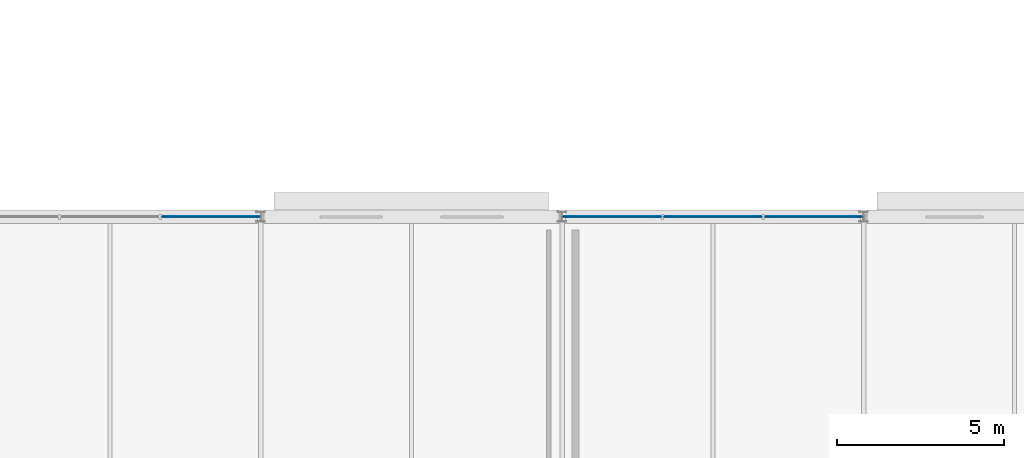
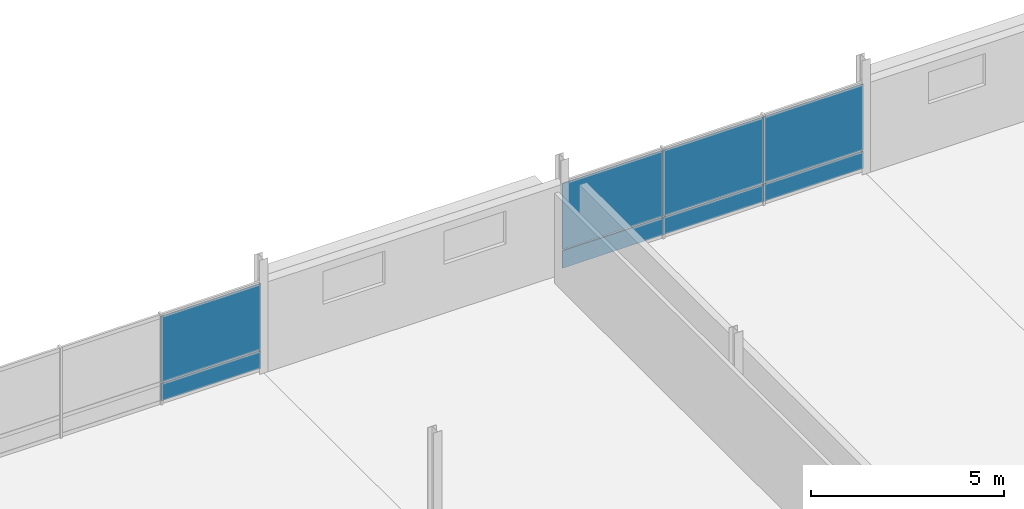
# One storey, part 97 of 132: 8 plates, 2 elements without a shape of their own.
"""IFC4 building model written with IfcOpenShell, lengths in metres."""

from ifc_helpers import new_model, si_unit, direction, frame, origin, origin_2d, place, context, subcontext, project, spatial, rectangle, extrude, material, layer, layer_set, type_object, element, aggregate, save


model = new_model("IFC4")

# Units and contexts
model_context = context("Model", 3, precision=1e-05, world=origin(), true_north=direction((0.0, 1.0)))
body_context = subcontext(model_context, "Body", "Model", "MODEL_VIEW")
ifc_project = project(units=[si_unit("LENGTHUNIT", "METRE"), si_unit("AREAUNIT", "SQUARE_METRE"), si_unit("VOLUMEUNIT", "CUBIC_METRE"), si_unit("PLANEANGLEUNIT", "RADIAN"), si_unit("MASSUNIT", "GRAM", prefix="KILO")], contexts=[model_context])

# Site, building, storey
site_placement = place(None, origin())
site = spatial("IfcSite", under=ifc_project, at=site_placement, CompositionType="ELEMENT")
building_placement = place(site_placement, origin())
building = spatial("IfcBuilding", under=site, at=building_placement, Name="Tharagai Park Tramway Depot", CompositionType="ELEMENT")
storey_placement = place(building_placement, frame((0.0, 0.0, 4.800048828125)))
storey = spatial("IfcBuildingStorey", under=building, at=storey_placement, Name="L01", CompositionType="ELEMENT", Elevation=4.800048828125)

# Curtain wall, plate
ifc_material_1 = material(Name="Anodised aluminium", Category="aluminium")
curtain_wall_type = type_object("IfcCurtainWallType", Name="CW-01", PredefinedType="NOTDEFINED", material=ifc_material_1)
curtain_wall_1_placement = place(storey_placement, origin())
curtain_wall_1 = element("IfcCurtainWall", 1, at=curtain_wall_1_placement, inside=storey, type_object=curtain_wall_type, Name="L01 V3 Gothic Mullioned Curtain Wall CW-01", PredefinedType="NOTDEFINED")
ifc_layer_1 = layer(ifc_material_1, 0.0400390625)
ifc_layer_set_1 = layer_set([ifc_layer_1], Name="Anodised aluminium")
plate_type_1 = type_object("IfcPlateType", Name="CP-01", PredefinedType="CURTAIN_PANEL", material=ifc_layer_set_1)
plate_1_placement = place(storey_placement, frame((178.502685546875, 135.0, 0.080078125), z_axis=(0.0, 0.0, 1.0), x_axis=(1.0, 0.0, 0.0)))
plate_1 = element("IfcPlate", 2, at=plate_1_placement, type_object=plate_type_1, Name="L01 V3 Gothic Mullioned Curtain Wall Spandrel Panel 3.1", PredefinedType="CURTAIN_PANEL", context=body_context, shape_type="SweptSolid", body=[
    extrude(rectangle(XDim=2.982666015625, YDim=0.0400390625, at=origin_2d()), origin(), (0.0, 0.0, 1.0), 0.550048828125),
])

# Curtain wall, plates
curtain_wall_2_placement = place(storey_placement, origin())
curtain_wall_2 = element("IfcCurtainWall", 3, at=curtain_wall_2_placement, inside=storey, type_object=curtain_wall_type, Name="L01 V3 Gothic Mullioned Curtain Wall CW-01", PredefinedType="NOTDEFINED")
plate_2_placement = place(storey_placement, frame((190.497314453125, 135.0, 0.080078125), z_axis=(0.0, 0.0, 1.0), x_axis=(1.0, 0.0, 0.0)))
plate_2 = element("IfcPlate", 4, at=plate_2_placement, type_object=plate_type_1, Name="L01 V3 Gothic Mullioned Curtain Wall Spandrel Panel 1.1", PredefinedType="CURTAIN_PANEL", context=body_context, shape_type="SweptSolid", body=[
    extrude(rectangle(XDim=2.982666015625, YDim=0.0400390625, at=origin_2d()), origin(), (0.0, 0.0, 1.0), 0.550048828125),
])
plate_3_placement = place(storey_placement, frame((193.5, 135.0, 0.080078125), z_axis=(0.0, 0.0, 1.0), x_axis=(1.0, 0.0, 0.0)))
plate_3 = element("IfcPlate", 5, at=plate_3_placement, type_object=plate_type_1, Name="L01 V3 Gothic Mullioned Curtain Wall Spandrel Panel 2.1", PredefinedType="CURTAIN_PANEL", context=body_context, shape_type="SweptSolid", body=[
    extrude(rectangle(XDim=2.982666015625, YDim=0.0400390625, at=origin_2d()), origin(), (0.0, 0.0, 1.0), 0.550048828125),
])
plate_4_placement = place(storey_placement, frame((196.502685546875, 135.0, 0.080078125), z_axis=(0.0, 0.0, 1.0), x_axis=(1.0, 0.0, 0.0)))
plate_4 = element("IfcPlate", 6, at=plate_4_placement, type_object=plate_type_1, Name="L01 V3 Gothic Mullioned Curtain Wall Spandrel Panel 3.1", PredefinedType="CURTAIN_PANEL", context=body_context, shape_type="SweptSolid", body=[
    extrude(rectangle(XDim=2.982666015625, YDim=0.0400390625, at=origin_2d()), origin(), (0.0, 0.0, 1.0), 0.550048828125),
])

# Plate
ifc_material_2 = material(Name="Laminated solar-control glass", Category="glass")
ifc_layer_2 = layer(ifc_material_2, 0.028076171875)
ifc_layer_set_2 = layer_set([ifc_layer_2], Name="Laminated solar-control glass")
plate_type_2 = type_object("IfcPlateType", Name="CP-02", PredefinedType="CURTAIN_PANEL", material=ifc_layer_set_2)
plate_5_placement = place(storey_placement, frame((178.502685546875, 135.0, 0.669921875), z_axis=(0.0, 0.0, 1.0), x_axis=(1.0, 0.0, 0.0)))
plate_5 = element("IfcPlate", 7, at=plate_5_placement, type_object=plate_type_2, Name="L01 V3 Gothic Mullioned Curtain Wall Glazed Panel 3.2", PredefinedType="CURTAIN_PANEL", context=body_context, shape_type="SweptSolid", body=[
    extrude(rectangle(XDim=2.982666015625, YDim=0.028076171875, at=origin_2d()), origin(), (0.0, 0.0, 1.0), 2.080078125),
])

aggregate(curtain_wall_1, [plate_1, plate_5])

plate_6_placement = place(storey_placement, frame((190.497314453125, 135.0, 0.669921875), z_axis=(0.0, 0.0, 1.0), x_axis=(1.0, 0.0, 0.0)))
plate_6 = element("IfcPlate", 8, at=plate_6_placement, type_object=plate_type_2, Name="L01 V3 Gothic Mullioned Curtain Wall Glazed Panel 1.2", PredefinedType="CURTAIN_PANEL", context=body_context, shape_type="SweptSolid", body=[
    extrude(rectangle(XDim=2.982666015625, YDim=0.028076171875, at=origin_2d()), origin(), (0.0, 0.0, 1.0), 2.080078125),
])

plate_7_placement = place(storey_placement, frame((193.5, 135.0, 0.669921875), z_axis=(0.0, 0.0, 1.0), x_axis=(1.0, 0.0, 0.0)))
plate_7 = element("IfcPlate", 9, at=plate_7_placement, type_object=plate_type_2, Name="L01 V3 Gothic Mullioned Curtain Wall Glazed Panel 2.2", PredefinedType="CURTAIN_PANEL", context=body_context, shape_type="SweptSolid", body=[
    extrude(rectangle(XDim=2.982666015625, YDim=0.028076171875, at=origin_2d()), origin(), (0.0, 0.0, 1.0), 2.080078125),
])

plate_8_placement = place(storey_placement, frame((196.502685546875, 135.0, 0.669921875), z_axis=(0.0, 0.0, 1.0), x_axis=(1.0, 0.0, 0.0)))
plate_8 = element("IfcPlate", 10, at=plate_8_placement, type_object=plate_type_2, Name="L01 V3 Gothic Mullioned Curtain Wall Glazed Panel 3.2", PredefinedType="CURTAIN_PANEL", context=body_context, shape_type="SweptSolid", body=[
    extrude(rectangle(XDim=2.982666015625, YDim=0.028076171875, at=origin_2d()), origin(), (0.0, 0.0, 1.0), 2.080078125),
])

aggregate(curtain_wall_2, [plate_2, plate_6, plate_3, plate_7, plate_4, plate_8])

save(model, "model.ifc")
